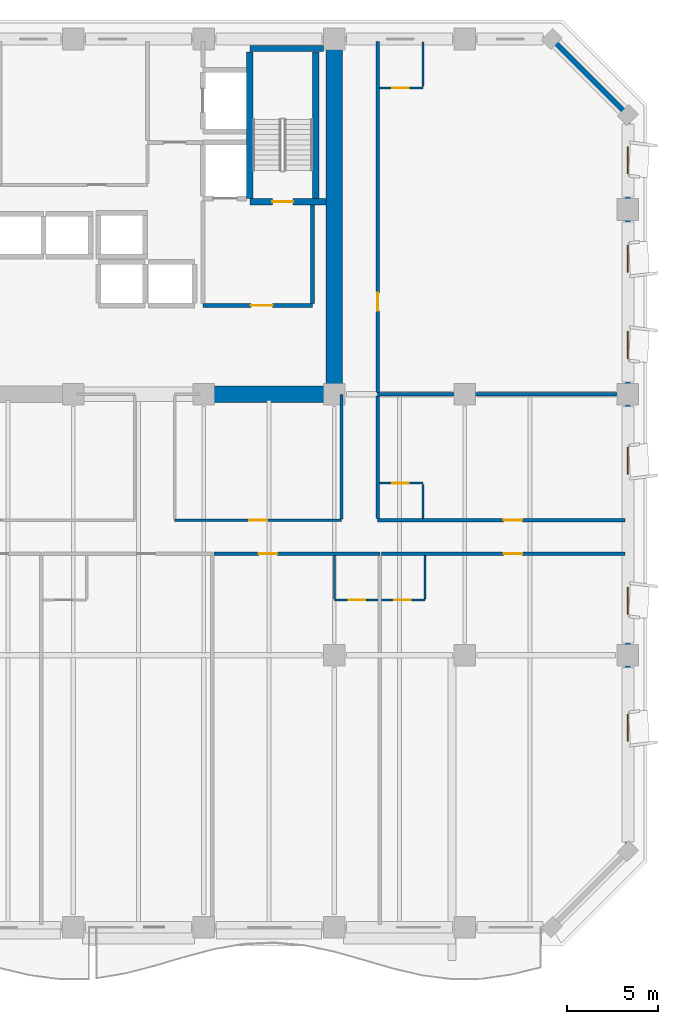
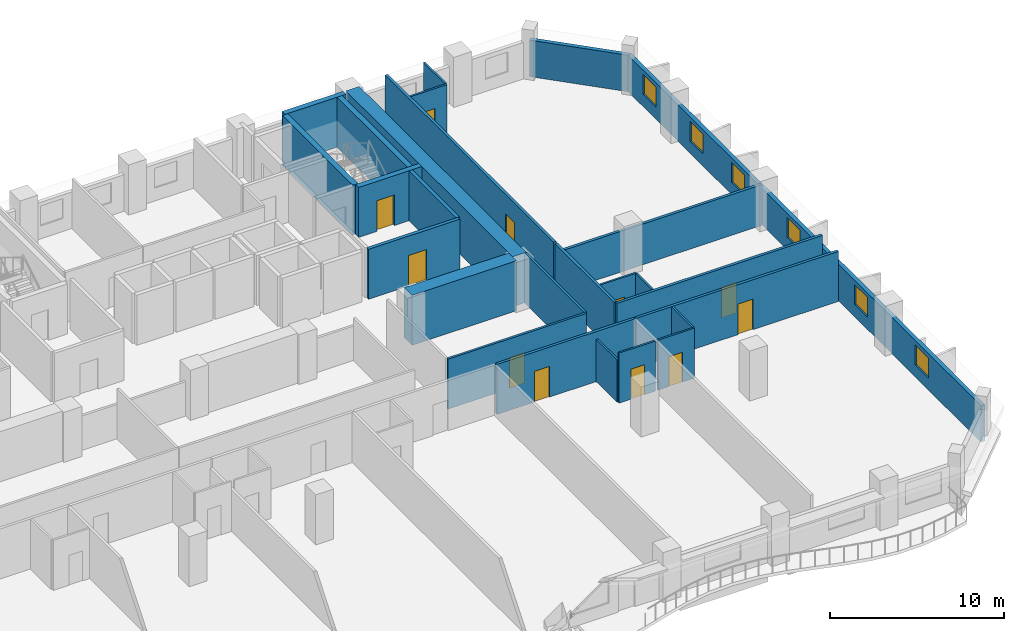
# One storey, part 9 of 14: 26 walls, 11 doors, 6 windows, 17 openings.
"""IFC4 building model written with IfcOpenShell, lengths in metres."""

from ifc_helpers import new_model, si_unit, direction, frame, frame_2d, origin, place, context, subcontext, project, spatial, rectangle, extrude, material, layer, layer_set, type_object, element, fill, save


model = new_model("IFC4")

# Units and contexts
model_context = context("Model", 3, precision=1e-05, world=origin(), true_north=direction((0.0, 1.0)))
body_context = subcontext(model_context, "Body", "Model", "MODEL_VIEW")
ifc_project = project(units=[si_unit("LENGTHUNIT", "METRE"), si_unit("AREAUNIT", "SQUARE_METRE"), si_unit("VOLUMEUNIT", "CUBIC_METRE"), si_unit("PLANEANGLEUNIT", "RADIAN"), si_unit("MASSUNIT", "GRAM", prefix="KILO")], contexts=[model_context])

# Site, building, storey
site_placement = place(None, origin())
site = spatial("IfcSite", under=ifc_project, at=site_placement, CompositionType="ELEMENT")
building_placement = place(site_placement, origin())
building = spatial("IfcBuilding", under=site, at=building_placement, Name="Kaelvorn Grand Hotel", CompositionType="ELEMENT")
storey_placement = place(building_placement, frame((0.0, 0.0, 85.550048828125)))
storey = spatial("IfcBuildingStorey", under=building, at=storey_placement, Name="L19", CompositionType="ELEMENT", Elevation=85.550048828125)

# Walls
ifc_material_1 = material(Name="Concrete C60/75", Category="concrete")
ifc_layer_1 = layer(ifc_material_1, 0.89990234375)
ifc_layer_set_1 = layer_set([ifc_layer_1], Name="Concrete C60/75")
wall_type_1 = type_object("IfcWallType", Name="WL-CORE-900-C60", PredefinedType="SHEAR", material=ifc_layer_set_1)
wall_1_placement = place(storey_placement, frame((67.800048828125, 29.39990234375, 0.0), z_axis=(0.0, 0.0, 1.0), x_axis=(0.0, 1.0, 0.0)))
element("IfcWall", 1, at=wall_1_placement, inside=storey, type_object=wall_type_1, Name="L19 Rear-Core East Shear Wall", PredefinedType="SHEAR", context=body_context, shape_type="SweptSolid", body=[
    extrude(rectangle(XDim=19.2001953125, YDim=0.89990234375, at=frame_2d((9.60009765625, 0.0))), origin(), (0.0, 0.0, 1.0), 3.510009765625),
])
wall_2_placement = place(storey_placement, frame((60.39990234375, 29.39990234375, 0.0), z_axis=(0.0, 0.0, 1.0), x_axis=(1.0, 0.0, 0.0)))
element("IfcWall", 2, at=wall_2_placement, inside=storey, type_object=wall_type_1, Name="L19 Rear-Core Coupled Shear Pier S4", PredefinedType="SHEAR", context=body_context, shape_type="SweptSolid", body=[
    extrude(rectangle(XDim=6.945068359375, YDim=0.89990234375, at=frame_2d((3.47265625, 0.0))), origin(), (0.0, 0.0, 1.0), 3.510009765625),
])

# Wall, openings, windows
ifc_material_2 = material(Name="Concrete C40/50", Category="concrete")
ifc_layer_2 = layer(ifc_material_2, 0.260009765625)
ifc_layer_set_2 = layer_set([ifc_layer_2], Name="Concrete C40/50")
wall_type_2 = type_object("IfcWallType", Name="WL-EXT-260-C40", PredefinedType="SOLIDWALL", material=ifc_layer_set_2)
wall_3_placement = place(storey_placement, frame((84.0, 4.199951171875, 0.0), z_axis=(0.0, 0.0, 1.0), x_axis=(0.0, 1.0, 0.0)))
wall_3 = element("IfcWall", 3, at=wall_3_placement, inside=storey, type_object=wall_type_2, Name="L19 Exterior Architectural Concrete Wall 03", PredefinedType="SOLIDWALL", context=body_context, shape_type="SweptSolid", body=[
    extrude(rectangle(XDim=40.60009765625, YDim=0.260009765625, at=frame_2d((20.300048828125, 0.0))), origin(), (0.0, 0.0, 1.0), 2.56005859375),
])
opening_1_placement = place(wall_3_placement, frame((6.050048828125, 0.0, 0.85009765625)))
opening_1 = element("IfcOpeningElement", 4, at=opening_1_placement, cuts=wall_3, Name="Opening W10", PredefinedType="OPENING", context=body_context, shape_type="SweptSolid", body=[
    extrude(rectangle(XDim=1.5, YDim=1.39990234375, at=frame_2d((0.75, 0.699951171875))), frame((0.0, 0.14013671875, 0.0), z_axis=(0.0, -1.0, 0.0), x_axis=(1.0, 0.0, 0.0)), (0.0, 0.0, 1.0), 0.280029296875),
])
opening_2_placement = place(wall_3_placement, frame((13.050048828125, 0.0, 0.85009765625)))
opening_2 = element("IfcOpeningElement", 5, at=opening_2_placement, cuts=wall_3, Name="Opening W10", PredefinedType="OPENING", context=body_context, shape_type="SweptSolid", body=[
    extrude(rectangle(XDim=1.5, YDim=1.39990234375, at=frame_2d((0.75, 0.699951171875))), frame((0.0, 0.14013671875, 0.0), z_axis=(0.0, -1.0, 0.0), x_axis=(1.0, 0.0, 0.0)), (0.0, 0.0, 1.0), 0.280029296875),
])
opening_3_placement = place(wall_3_placement, frame((20.77490234375, 0.0, 0.85009765625)))
opening_3 = element("IfcOpeningElement", 6, at=opening_3_placement, cuts=wall_3, Name="Opening W10", PredefinedType="OPENING", context=body_context, shape_type="SweptSolid", body=[
    extrude(rectangle(XDim=1.5, YDim=1.39990234375, at=frame_2d((0.75, 0.699951171875))), frame((0.0, 0.14013671875, 0.0), z_axis=(0.0, -1.0, 0.0), x_axis=(1.0, 0.0, 0.0)), (0.0, 0.0, 1.0), 0.280029296875),
])
opening_4_placement = place(wall_3_placement, frame((27.1650390625, 0.0, 0.85009765625)))
opening_4 = element("IfcOpeningElement", 7, at=opening_4_placement, cuts=wall_3, Name="Opening W10", PredefinedType="OPENING", context=body_context, shape_type="SweptSolid", body=[
    extrude(rectangle(XDim=1.5, YDim=1.39990234375, at=frame_2d((0.75, 0.699951171875))), frame((0.0, 0.14013671875, 0.0), z_axis=(0.0, -1.0, 0.0), x_axis=(1.0, 0.0, 0.0)), (0.0, 0.0, 1.0), 0.280029296875),
])
opening_5_placement = place(wall_3_placement, frame((31.93505859375, 0.0, 0.85009765625)))
opening_5 = element("IfcOpeningElement", 8, at=opening_5_placement, cuts=wall_3, Name="Opening W10", PredefinedType="OPENING", context=body_context, shape_type="SweptSolid", body=[
    extrude(rectangle(XDim=1.5, YDim=1.39990234375, at=frame_2d((0.75, 0.699951171875))), frame((0.0, 0.14013671875, 0.0), z_axis=(0.0, -1.0, 0.0), x_axis=(1.0, 0.0, 0.0)), (0.0, 0.0, 1.0), 0.280029296875),
])
opening_6_placement = place(wall_3_placement, frame((37.364990234375, 0.0, 0.85009765625)))
opening_6 = element("IfcOpeningElement", 9, at=opening_6_placement, cuts=wall_3, Name="Opening W10", PredefinedType="OPENING", context=body_context, shape_type="SweptSolid", body=[
    extrude(rectangle(XDim=1.5, YDim=1.39990234375, at=frame_2d((0.75, 0.699951171875))), frame((0.0, 0.14013671875, 0.0), z_axis=(0.0, -1.0, 0.0), x_axis=(1.0, 0.0, 0.0)), (0.0, 0.0, 1.0), 0.280029296875),
])
ifc_material_3 = material(Name="Laminated Low-E Glass", Category="glass")
window_type = type_object("IfcWindowType", Name="WIN-COR-1500x1400", PartitioningType="SINGLE_PANEL", PredefinedType="WINDOW", material=ifc_material_3)
window_1_placement = place(opening_1_placement, origin())
window_1 = element("IfcWindow", 10, at=window_1_placement, inside=storey, type_object=window_type, Name="L19 E Wing Tilted-Frame Ribbon Window E01", OverallHeight=1.39990234375, OverallWidth=1.5, PartitioningType="SINGLE_PANEL", PredefinedType="WINDOW", context=body_context, shape_type="SweptSolid", body=[
    extrude(rectangle(XDim=1.5, YDim=1.39990234375, at=frame_2d((0.75, 0.699951171875))), frame((0.0, 0.030029296875, 0.0), z_axis=(0.0, -1.0, 0.0), x_axis=(1.0, 0.0, 0.0)), (0.0, 0.0, 1.0), 0.06005859375),
])
fill(opening_1, window_1)
window_2_placement = place(opening_2_placement, origin())
window_2 = element("IfcWindow", 11, at=window_2_placement, inside=storey, type_object=window_type, Name="L19 E Wing Tilted-Frame Ribbon Window E02", OverallHeight=1.39990234375, OverallWidth=1.5, PartitioningType="SINGLE_PANEL", PredefinedType="WINDOW", context=body_context, shape_type="SweptSolid", body=[
    extrude(rectangle(XDim=1.5, YDim=1.39990234375, at=frame_2d((0.75, 0.699951171875))), frame((0.0, 0.030029296875, 0.0), z_axis=(0.0, -1.0, 0.0), x_axis=(1.0, 0.0, 0.0)), (0.0, 0.0, 1.0), 0.06005859375),
])
fill(opening_2, window_2)
window_3_placement = place(opening_3_placement, origin())
window_3 = element("IfcWindow", 12, at=window_3_placement, inside=storey, type_object=window_type, Name="L19 E Wing Tilted-Frame Ribbon Window E03", OverallHeight=1.39990234375, OverallWidth=1.5, PartitioningType="SINGLE_PANEL", PredefinedType="WINDOW", context=body_context, shape_type="SweptSolid", body=[
    extrude(rectangle(XDim=1.5, YDim=1.39990234375, at=frame_2d((0.75, 0.699951171875))), frame((0.0, 0.030029296875, 0.0), z_axis=(0.0, -1.0, 0.0), x_axis=(1.0, 0.0, 0.0)), (0.0, 0.0, 1.0), 0.06005859375),
])
fill(opening_3, window_3)
window_4_placement = place(opening_4_placement, origin())
window_4 = element("IfcWindow", 13, at=window_4_placement, inside=storey, type_object=window_type, Name="L19 E Wing Tilted-Frame Ribbon Window E04", OverallHeight=1.39990234375, OverallWidth=1.5, PartitioningType="SINGLE_PANEL", PredefinedType="WINDOW", context=body_context, shape_type="SweptSolid", body=[
    extrude(rectangle(XDim=1.5, YDim=1.39990234375, at=frame_2d((0.75, 0.699951171875))), frame((0.0, 0.030029296875, 0.0), z_axis=(0.0, -1.0, 0.0), x_axis=(1.0, 0.0, 0.0)), (0.0, 0.0, 1.0), 0.06005859375),
])
fill(opening_4, window_4)
window_5_placement = place(opening_5_placement, origin())
window_5 = element("IfcWindow", 14, at=window_5_placement, inside=storey, type_object=window_type, Name="L19 E Wing Tilted-Frame Ribbon Window E05", OverallHeight=1.39990234375, OverallWidth=1.5, PartitioningType="SINGLE_PANEL", PredefinedType="WINDOW", context=body_context, shape_type="SweptSolid", body=[
    extrude(rectangle(XDim=1.5, YDim=1.39990234375, at=frame_2d((0.75, 0.699951171875))), frame((0.0, 0.030029296875, 0.0), z_axis=(0.0, -1.0, 0.0), x_axis=(1.0, 0.0, 0.0)), (0.0, 0.0, 1.0), 0.06005859375),
])
fill(opening_5, window_5)
window_6_placement = place(opening_6_placement, origin())
window_6 = element("IfcWindow", 15, at=window_6_placement, inside=storey, type_object=window_type, Name="L19 E Wing Tilted-Frame Ribbon Window E06", OverallHeight=1.39990234375, OverallWidth=1.5, PartitioningType="SINGLE_PANEL", PredefinedType="WINDOW", context=body_context, shape_type="SweptSolid", body=[
    extrude(rectangle(XDim=1.5, YDim=1.39990234375, at=frame_2d((0.75, 0.699951171875))), frame((0.0, 0.030029296875, 0.0), z_axis=(0.0, -1.0, 0.0), x_axis=(1.0, 0.0, 0.0)), (0.0, 0.0, 1.0), 0.06005859375),
])
fill(opening_6, window_6)

# Wall
wall_4_placement = place(storey_placement, frame((84.0, 44.800048828125, 0.0), z_axis=(0.0, 0.0, 1.0), x_axis=(-0.707106781187, 0.707106781187, 0.0)))
element("IfcWall", 16, at=wall_4_placement, inside=storey, type_object=wall_type_2, Name="L19 Exterior Architectural Concrete Wall 04", PredefinedType="SOLIDWALL", context=body_context, shape_type="SweptSolid", body=[
    extrude(rectangle(XDim=5.939697265625, YDim=0.260009765625, at=frame_2d((2.9697265625, 0.0))), origin(), (0.0, 0.0, 1.0), 2.56005859375),
])

# Wall, opening, door
ifc_material_4 = material(Name="Moisture-Resistant Tile & Stud Board")
ifc_layer_3 = layer(ifc_material_4, 0.125)
ifc_layer_set_3 = layer_set([ifc_layer_3], Name="Moisture-Resistant Tile & Stud Board")
wall_type_3 = type_object("IfcWallType", Name="WL-PART-125-WET", PredefinedType="PARTITIONING", material=ifc_layer_set_3)
wall_5_placement = place(storey_placement, frame((67.81298828125, 18.050048828125, 0.0), z_axis=(0.0, 0.0, 1.0), x_axis=(1.0, 0.0, 0.0)))
wall_5 = element("IfcWall", 17, at=wall_5_placement, inside=storey, type_object=wall_type_3, Name="L19 En-suite Bathroom L19-07 S Partition", PredefinedType="PARTITIONING", context=body_context, shape_type="SweptSolid", body=[
    extrude(rectangle(XDim=2.405029296875, YDim=0.125, at=frame_2d((1.20263671875, 0.0))), origin(), (0.0, 0.0, 1.0), 3.510009765625),
])
opening_7_placement = place(wall_5_placement, frame((0.800048828125, 0.0, 0.0)))
opening_7 = element("IfcOpeningElement", 18, at=opening_7_placement, cuts=wall_5, Name="Opening DI4", PredefinedType="OPENING", context=body_context, shape_type="SweptSolid", body=[
    extrude(rectangle(XDim=0.89990234375, YDim=2.10009765625, at=frame_2d((0.449951171875, 1.050048828125))), frame((0.0, 0.072509765625, 0.0), z_axis=(0.0, -1.0, 0.0), x_axis=(1.0, 0.0, 0.0)), (0.0, 0.0, 1.0), 0.14501953125),
])
ifc_material_5 = material(Name="Timber Veneer Leaf", Category="wood")
door_type_1 = type_object("IfcDoorType", Name="DR-INT-BATH-900x2100", OperationType="NOTDEFINED", PredefinedType="DOOR", material=ifc_material_5)
door_1_placement = place(opening_7_placement, origin())
door_1 = element("IfcDoor", 19, at=door_1_placement, inside=storey, type_object=door_type_1, Name="L19 En-suite Bathroom L19-07 Door", OperationType="SINGLE_SWING_LEFT", OverallHeight=2.10009765625, OverallWidth=0.89990234375, PredefinedType="DOOR", context=body_context, shape_type="SweptSolid", body=[
    extrude(rectangle(XDim=0.89990234375, YDim=2.10009765625, at=frame_2d((0.449951171875, 1.050048828125))), frame((0.0, 0.02490234375, 0.0), z_axis=(0.0, -1.0, 0.0), x_axis=(1.0, 0.0, 0.0)), (0.0, 0.0, 1.0), 0.050048828125),
])
fill(opening_7, door_1)

# Wall
wall_6_placement = place(storey_placement, frame((67.81298828125, 18.117431640625, 0.0), z_axis=(0.0, 0.0, 1.0), x_axis=(0.0, 1.0, 0.0)))
element("IfcWall", 20, at=wall_6_placement, inside=storey, type_object=wall_type_3, Name="L19 En-suite Bathroom L19-07 W Partition", PredefinedType="PARTITIONING", context=body_context, shape_type="SweptSolid", body=[
    extrude(rectangle(XDim=2.387451171875, YDim=0.125, at=frame_2d((1.19384765625, 0.0))), origin(), (0.0, 0.0, 1.0), 2.976806640625),
])

# Wall, opening, door
wall_7_placement = place(storey_placement, frame((70.408203125, 18.050048828125, 0.0), z_axis=(0.0, 0.0, 1.0), x_axis=(1.0, 0.0, 0.0)))
wall_7 = element("IfcWall", 21, at=wall_7_placement, inside=storey, type_object=wall_type_3, Name="L19 En-suite Bathroom L19-08 S Partition", PredefinedType="PARTITIONING", context=body_context, shape_type="SweptSolid", body=[
    extrude(rectangle(XDim=2.40478515625, YDim=0.125, at=frame_2d((1.202392578125, 0.0))), origin(), (0.0, 0.0, 1.0), 3.510009765625),
])
opening_8_placement = place(wall_7_placement, frame((0.705078125, 0.0, 0.0)))
opening_8 = element("IfcOpeningElement", 22, at=opening_8_placement, cuts=wall_7, Name="Opening DI4", PredefinedType="OPENING", context=body_context, shape_type="SweptSolid", body=[
    extrude(rectangle(XDim=0.89990234375, YDim=2.10009765625, at=frame_2d((0.449951171875, 1.050048828125))), frame((0.0, 0.072509765625, 0.0), z_axis=(0.0, -1.0, 0.0), x_axis=(1.0, 0.0, 0.0)), (0.0, 0.0, 1.0), 0.14501953125),
])
door_2_placement = place(opening_8_placement, origin())
door_2 = element("IfcDoor", 23, at=door_2_placement, inside=storey, type_object=door_type_1, Name="L19 En-suite Bathroom L19-08 Door", OperationType="SINGLE_SWING_LEFT", OverallHeight=2.10009765625, OverallWidth=0.89990234375, PredefinedType="DOOR", context=body_context, shape_type="SweptSolid", body=[
    extrude(rectangle(XDim=0.89990234375, YDim=2.10009765625, at=frame_2d((0.449951171875, 1.050048828125))), frame((0.0, 0.02490234375, 0.0), z_axis=(0.0, -1.0, 0.0), x_axis=(1.0, 0.0, 0.0)), (0.0, 0.0, 1.0), 0.050048828125),
])
fill(opening_8, door_2)

# Wall
wall_8_placement = place(storey_placement, frame((72.81298828125, 18.117431640625, 0.0), z_axis=(0.0, 0.0, 1.0), x_axis=(0.0, 1.0, 0.0)))
element("IfcWall", 24, at=wall_8_placement, inside=storey, type_object=wall_type_3, Name="L19 En-suite Bathroom L19-08 E Partition", PredefinedType="PARTITIONING", context=body_context, shape_type="SweptSolid", body=[
    extrude(rectangle(XDim=2.387451171875, YDim=0.125, at=frame_2d((1.19384765625, 0.0))), origin(), (0.0, 0.0, 1.0), 3.510009765625),
])

# Wall, opening, door
wall_9_placement = place(storey_placement, frame((70.294921875, 24.5, 0.0), z_axis=(0.0, 0.0, 1.0), x_axis=(1.0, 0.0, 0.0)))
wall_9 = element("IfcWall", 25, at=wall_9_placement, inside=storey, type_object=wall_type_3, Name="L19 En-suite Bathroom L19-10 N Partition", PredefinedType="PARTITIONING", context=body_context, shape_type="SweptSolid", body=[
    extrude(rectangle(XDim=2.405029296875, YDim=0.125, at=frame_2d((1.20263671875, 0.0))), origin(), (0.0, 0.0, 1.0), 3.510009765625),
])
opening_9_placement = place(wall_9_placement, frame((0.705078125, 0.0, 0.0)))
opening_9 = element("IfcOpeningElement", 26, at=opening_9_placement, cuts=wall_9, Name="Opening DI4", PredefinedType="OPENING", context=body_context, shape_type="SweptSolid", body=[
    extrude(rectangle(XDim=0.89990234375, YDim=2.10009765625, at=frame_2d((0.449951171875, 1.050048828125))), frame((0.0, 0.072509765625, 0.0), z_axis=(0.0, -1.0, 0.0), x_axis=(1.0, 0.0, 0.0)), (0.0, 0.0, 1.0), 0.14501953125),
])
door_3_placement = place(opening_9_placement, origin())
door_3 = element("IfcDoor", 27, at=door_3_placement, inside=storey, type_object=door_type_1, Name="L19 En-suite Bathroom L19-10 Door", OperationType="SINGLE_SWING_LEFT", OverallHeight=2.10009765625, OverallWidth=0.89990234375, PredefinedType="DOOR", context=body_context, shape_type="SweptSolid", body=[
    extrude(rectangle(XDim=0.89990234375, YDim=2.10009765625, at=frame_2d((0.449951171875, 1.050048828125))), frame((0.0, 0.02490234375, 0.0), z_axis=(0.0, -1.0, 0.0), x_axis=(1.0, 0.0, 0.0)), (0.0, 0.0, 1.0), 0.050048828125),
])
fill(opening_9, door_3)

# Wall
wall_10_placement = place(storey_placement, frame((72.699951171875, 22.544921875, 0.0), z_axis=(0.0, 0.0, 1.0), x_axis=(0.0, 1.0, 0.0)))
element("IfcWall", 28, at=wall_10_placement, inside=storey, type_object=wall_type_3, Name="L19 En-suite Bathroom L19-10 E Partition", PredefinedType="PARTITIONING", context=body_context, shape_type="SweptSolid", body=[
    extrude(rectangle(XDim=1.8876953125, YDim=0.125, at=frame_2d((0.94384765625, 0.0))), origin(), (0.0, 0.0, 1.0), 3.510009765625),
])

# Wall, opening, door
wall_11_placement = place(storey_placement, frame((70.294921875, 46.300048828125, 0.0), z_axis=(0.0, 0.0, 1.0), x_axis=(1.0, 0.0, 0.0)))
wall_11 = element("IfcWall", 29, at=wall_11_placement, inside=storey, type_object=wall_type_3, Name="L19 En-suite Bathroom L19-11 S Partition", PredefinedType="PARTITIONING", context=body_context, shape_type="SweptSolid", body=[
    extrude(rectangle(XDim=2.405029296875, YDim=0.125, at=frame_2d((1.20263671875, 0.0))), origin(), (0.0, 0.0, 1.0), 3.510009765625),
])
opening_10_placement = place(wall_11_placement, frame((0.705078125, 0.0, 0.0)))
opening_10 = element("IfcOpeningElement", 30, at=opening_10_placement, cuts=wall_11, Name="Opening DI4", PredefinedType="OPENING", context=body_context, shape_type="SweptSolid", body=[
    extrude(rectangle(XDim=0.89990234375, YDim=2.10009765625, at=frame_2d((0.449951171875, 1.050048828125))), frame((0.0, 0.072509765625, 0.0), z_axis=(0.0, -1.0, 0.0), x_axis=(1.0, 0.0, 0.0)), (0.0, 0.0, 1.0), 0.14501953125),
])
door_4_placement = place(opening_10_placement, origin())
door_4 = element("IfcDoor", 31, at=door_4_placement, inside=storey, type_object=door_type_1, Name="L19 En-suite Bathroom L19-11 Door", OperationType="SINGLE_SWING_LEFT", OverallHeight=2.10009765625, OverallWidth=0.89990234375, PredefinedType="DOOR", context=body_context, shape_type="SweptSolid", body=[
    extrude(rectangle(XDim=0.89990234375, YDim=2.10009765625, at=frame_2d((0.449951171875, 1.050048828125))), frame((0.0, 0.02490234375, 0.0), z_axis=(0.0, -1.0, 0.0), x_axis=(1.0, 0.0, 0.0)), (0.0, 0.0, 1.0), 0.050048828125),
])
fill(opening_10, door_4)

# Wall
wall_12_placement = place(storey_placement, frame((72.699951171875, 46.367431640625, 0.0), z_axis=(0.0, 0.0, 1.0), x_axis=(0.0, 1.0, 0.0)))
element("IfcWall", 32, at=wall_12_placement, inside=storey, type_object=wall_type_3, Name="L19 En-suite Bathroom L19-11 E Partition", PredefinedType="PARTITIONING", context=body_context, shape_type="SweptSolid", body=[
    extrude(rectangle(XDim=2.482666015625, YDim=0.125, at=frame_2d((1.2412109375, 0.0))), origin(), (0.0, 0.0, 1.0), 3.510009765625),
])

# Wall, opening, door
ifc_material_6 = material(Name="Acoustic Gypsum & Stud Partition")
ifc_layer_4 = layer(ifc_material_6, 0.14990234375)
ifc_layer_set_4 = layer_set([ifc_layer_4], Name="Acoustic Gypsum & Stud Partition")
wall_type_4 = type_object("IfcWallType", Name="WL-PART-150-EI60", PredefinedType="PARTITIONING", material=ifc_layer_set_4)
wall_13_placement = place(storey_placement, frame((59.0, 22.449951171875, 0.0), z_axis=(0.0, 0.0, 1.0), x_axis=(1.0, 0.0, 0.0)))
wall_13 = element("IfcWall", 33, at=wall_13_placement, inside=storey, type_object=wall_type_4, Name="L19 VIP Dining Restaurant S Partition", PredefinedType="PARTITIONING", context=body_context, shape_type="SweptSolid", body=[
    extrude(rectangle(XDim=9.199951171875, YDim=0.14990234375, at=frame_2d((4.60009765625, 0.0))), origin(), (0.0, 0.0, 1.0), 3.510009765625),
])
opening_11_placement = place(wall_13_placement, frame((4.10009765625, 0.0, 0.0)))
opening_11 = element("IfcOpeningElement", 34, at=opening_11_placement, cuts=wall_13, Name="Opening DI3", PredefinedType="OPENING", context=body_context, shape_type="SweptSolid", body=[
    extrude(rectangle(XDim=1.0, YDim=2.14990234375, at=frame_2d((0.5, 1.074951171875))), frame((0.0, 0.0849609375, 0.0), z_axis=(0.0, -1.0, 0.0), x_axis=(1.0, 0.0, 0.0)), (0.0, 0.0, 1.0), 0.169921875),
])
ifc_material_7 = material(Name="Timber Veneer Fire Leaf", Category="wood")
door_type_2 = type_object("IfcDoorType", Name="DR-INT-GUEST-1000x2150", OperationType="NOTDEFINED", PredefinedType="DOOR", material=ifc_material_7)
door_5_placement = place(opening_11_placement, origin())
door_5 = element("IfcDoor", 35, at=door_5_placement, inside=storey, type_object=door_type_2, Name="L19 VIP Dining Restaurant Door", OperationType="SINGLE_SWING_LEFT", OverallHeight=2.14990234375, OverallWidth=1.0, PredefinedType="DOOR", context=body_context, shape_type="SweptSolid", body=[
    extrude(rectangle(XDim=1.0, YDim=2.14990234375, at=frame_2d((0.5, 1.074951171875))), frame((0.0, 0.02490234375, 0.0), z_axis=(0.0, -1.0, 0.0), x_axis=(1.0, 0.0, 0.0)), (0.0, 0.0, 1.0), 0.050048828125),
])
fill(opening_11, door_5)

# Wall
wall_14_placement = place(storey_placement, frame((68.199951171875, 22.530029296875, 0.0), z_axis=(0.0, 0.0, 1.0), x_axis=(0.0, 1.0, 0.0)))
element("IfcWall", 36, at=wall_14_placement, inside=storey, type_object=wall_type_4, Name="L19 VIP Dining Restaurant E Partition", PredefinedType="PARTITIONING", context=body_context, shape_type="SweptSolid", body=[
    extrude(rectangle(XDim=6.85986328125, YDim=0.14990234375, at=frame_2d((3.429931640625, 0.0))), origin(), (0.0, 0.0, 1.0), 3.510009765625),
])

# Wall, opening, door
ifc_layer_5 = layer(ifc_material_6, 0.179931640625)
ifc_layer_set_5 = layer_set([ifc_layer_5], Name="Acoustic Gypsum & Stud Partition")
wall_type_5 = type_object("IfcWallType", Name="WL-PART-180-EI60", PredefinedType="PARTITIONING", material=ifc_layer_set_5)
wall_15_placement = place(storey_placement, frame((61.171142578125, 20.60009765625, 0.0), z_axis=(0.0, 0.0, 1.0), x_axis=(1.0, 0.0, 0.0)))
wall_15 = element("IfcWall", 37, at=wall_15_placement, inside=storey, type_object=wall_type_5, Name="L19 Deluxe Panoramic Suite L19-07 N Partition", PredefinedType="PARTITIONING", context=body_context, shape_type="SweptSolid", body=[
    extrude(rectangle(XDim=9.141845703125, YDim=0.179931640625, at=frame_2d((4.57080078125, 0.0))), origin(), (0.0, 0.0, 1.0), 3.510009765625),
])
opening_12_placement = place(wall_15_placement, frame((2.475341796875, 0.0, 0.0)))
opening_12 = element("IfcOpeningElement", 38, at=opening_12_placement, cuts=wall_15, Name="Opening DI3", PredefinedType="OPENING", context=body_context, shape_type="SweptSolid", body=[
    extrude(rectangle(XDim=1.0, YDim=2.14990234375, at=frame_2d((0.5, 1.074951171875))), frame((0.0, 0.10009765625, 0.0), z_axis=(0.0, -1.0, 0.0), x_axis=(1.0, 0.0, 0.0)), (0.0, 0.0, 1.0), 0.199951171875),
])
door_6_placement = place(opening_12_placement, origin())
door_6 = element("IfcDoor", 39, at=door_6_placement, inside=storey, type_object=door_type_2, Name="L19 Deluxe Panoramic Suite L19-07 Door", OperationType="SINGLE_SWING_RIGHT", OverallHeight=2.14990234375, OverallWidth=1.0, PredefinedType="DOOR", context=body_context, shape_type="SweptSolid", body=[
    extrude(rectangle(XDim=1.0, YDim=2.14990234375, at=frame_2d((0.5, 1.074951171875))), frame((0.0, 0.02490234375, 0.0), z_axis=(0.0, -1.0, 0.0), x_axis=(1.0, 0.0, 0.0)), (0.0, 0.0, 1.0), 0.050048828125),
])
fill(opening_12, door_6)

wall_16_placement = place(storey_placement, frame((70.408203125, 20.60009765625, 0.0), z_axis=(0.0, 0.0, 1.0), x_axis=(1.0, 0.0, 0.0)))
wall_16 = element("IfcWall", 40, at=wall_16_placement, inside=storey, type_object=wall_type_5, Name="L19 Presidential Sky Suite L19-08 N Partition", PredefinedType="PARTITIONING", context=body_context, shape_type="SweptSolid", body=[
    extrude(rectangle(XDim=13.44189453125, YDim=0.179931640625, at=frame_2d((6.720947265625, 0.0))), origin(), (0.0, 0.0, 1.0), 3.510009765625),
])
opening_13_placement = place(wall_16_placement, frame((6.7568359375, 0.0, 0.0)))
opening_13 = element("IfcOpeningElement", 41, at=opening_13_placement, cuts=wall_16, Name="Opening DI3", PredefinedType="OPENING", context=body_context, shape_type="SweptSolid", body=[
    extrude(rectangle(XDim=1.0, YDim=2.14990234375, at=frame_2d((0.5, 1.074951171875))), frame((0.0, 0.10009765625, 0.0), z_axis=(0.0, -1.0, 0.0), x_axis=(1.0, 0.0, 0.0)), (0.0, 0.0, 1.0), 0.199951171875),
])
door_7_placement = place(opening_13_placement, origin())
door_7 = element("IfcDoor", 42, at=door_7_placement, inside=storey, type_object=door_type_2, Name="L19 Presidential Sky Suite L19-08 Door", OperationType="SINGLE_SWING_RIGHT", OverallHeight=2.14990234375, OverallWidth=1.0, PredefinedType="DOOR", context=body_context, shape_type="SweptSolid", body=[
    extrude(rectangle(XDim=1.0, YDim=2.14990234375, at=frame_2d((0.5, 1.074951171875))), frame((0.0, 0.02490234375, 0.0), z_axis=(0.0, -1.0, 0.0), x_axis=(1.0, 0.0, 0.0)), (0.0, 0.0, 1.0), 0.050048828125),
])
fill(opening_13, door_7)

wall_17_placement = place(storey_placement, frame((70.199951171875, 22.449951171875, 0.0), z_axis=(0.0, 0.0, 1.0), x_axis=(1.0, 0.0, 0.0)))
wall_17 = element("IfcWall", 43, at=wall_17_placement, inside=storey, type_object=wall_type_5, Name="L19 East Chamfer Corner Suite L19-10 S Partition", PredefinedType="PARTITIONING", context=body_context, shape_type="SweptSolid", body=[
    extrude(rectangle(XDim=13.650146484375, YDim=0.179931640625, at=frame_2d((6.8251953125, 0.0))), origin(), (0.0, 0.0, 1.0), 3.510009765625),
])
opening_14_placement = place(wall_17_placement, frame((6.965087890625, 0.0, 0.0)))
opening_14 = element("IfcOpeningElement", 44, at=opening_14_placement, cuts=wall_17, Name="Opening DI3", PredefinedType="OPENING", context=body_context, shape_type="SweptSolid", body=[
    extrude(rectangle(XDim=1.0, YDim=2.14990234375, at=frame_2d((0.5, 1.074951171875))), frame((0.0, 0.10009765625, 0.0), z_axis=(0.0, -1.0, 0.0), x_axis=(1.0, 0.0, 0.0)), (0.0, 0.0, 1.0), 0.199951171875),
])
door_8_placement = place(opening_14_placement, origin())
door_8 = element("IfcDoor", 45, at=door_8_placement, inside=storey, type_object=door_type_2, Name="L19 East Chamfer Corner Suite L19-10 Door", OperationType="SINGLE_SWING_RIGHT", OverallHeight=2.14990234375, OverallWidth=1.0, PredefinedType="DOOR", context=body_context, shape_type="SweptSolid", body=[
    extrude(rectangle(XDim=1.0, YDim=2.14990234375, at=frame_2d((0.5, 1.074951171875))), frame((0.0, 0.02490234375, 0.0), z_axis=(0.0, -1.0, 0.0), x_axis=(1.0, 0.0, 0.0)), (0.0, 0.0, 1.0), 0.050048828125),
])
fill(opening_14, door_8)

# Walls
wall_18_placement = place(storey_placement, frame((70.199951171875, 29.39990234375, 0.0), z_axis=(0.0, 0.0, 1.0), x_axis=(1.0, 0.0, 0.0)))
element("IfcWall", 46, at=wall_18_placement, inside=storey, type_object=wall_type_5, Name="L19 East Chamfer Corner Suite L19-10 N Partition", PredefinedType="PARTITIONING", context=body_context, shape_type="SweptSolid", body=[
    extrude(rectangle(XDim=13.650146484375, YDim=0.179931640625, at=frame_2d((6.8251953125, 0.0))), origin(), (0.0, 0.0, 1.0), 2.85986328125),
])
wall_19_placement = place(storey_placement, frame((70.199951171875, 22.544921875, 0.0), z_axis=(0.0, 0.0, 1.0), x_axis=(0.0, 1.0, 0.0)))
element("IfcWall", 47, at=wall_19_placement, inside=storey, type_object=wall_type_5, Name="L19 East Chamfer Corner Suite L19-10 W Partition", PredefinedType="PARTITIONING", context=body_context, shape_type="SweptSolid", body=[
    extrude(rectangle(XDim=6.760009765625, YDim=0.179931640625, at=frame_2d((3.3798828125, 0.0))), origin(), (0.0, 0.0, 1.0), 3.510009765625),
])

# Wall, opening, door
wall_20_placement = place(storey_placement, frame((70.199951171875, 29.4951171875, 0.0), z_axis=(0.0, 0.0, 1.0), x_axis=(0.0, 1.0, 0.0)))
wall_20 = element("IfcWall", 48, at=wall_20_placement, inside=storey, type_object=wall_type_5, Name="L19 Presidential Sky Suite L19-11 W Partition", PredefinedType="PARTITIONING", context=body_context, shape_type="SweptSolid", body=[
    extrude(rectangle(XDim=19.35498046875, YDim=0.179931640625, at=frame_2d((9.677490234375, 0.0))), origin(), (0.0, 0.0, 1.0), 3.510009765625),
])
opening_15_placement = place(wall_20_placement, frame((4.5048828125, 0.0, 0.0)))
opening_15 = element("IfcOpeningElement", 49, at=opening_15_placement, cuts=wall_20, Name="Opening DI3", PredefinedType="OPENING", context=body_context, shape_type="SweptSolid", body=[
    extrude(rectangle(XDim=1.0, YDim=2.14990234375, at=frame_2d((0.5, 1.074951171875))), frame((0.0, 0.10009765625, 0.0), z_axis=(0.0, -1.0, 0.0), x_axis=(1.0, 0.0, 0.0)), (0.0, 0.0, 1.0), 0.199951171875),
])
door_9_placement = place(opening_15_placement, origin())
door_9 = element("IfcDoor", 50, at=door_9_placement, inside=storey, type_object=door_type_2, Name="L19 Presidential Sky Suite L19-11 Door", OperationType="SINGLE_SWING_RIGHT", OverallHeight=2.14990234375, OverallWidth=1.0, PredefinedType="DOOR", context=body_context, shape_type="SweptSolid", body=[
    extrude(rectangle(XDim=1.0, YDim=2.14990234375, at=frame_2d((0.5, 1.074951171875))), frame((0.0, 0.02490234375, 0.0), z_axis=(0.0, -1.0, 0.0), x_axis=(1.0, 0.0, 0.0)), (0.0, 0.0, 1.0), 0.050048828125),
])
fill(opening_15, door_9)

ifc_layer_6 = layer(ifc_material_2, 0.219970703125)
ifc_layer_set_6 = layer_set([ifc_layer_6], Name="Concrete C40/50")
wall_type_6 = type_object("IfcWallType", Name="WL-PART-220-EI120", PredefinedType="PARTITIONING", material=ifc_layer_set_6)
wall_21_placement = place(storey_placement, frame((60.550048828125, 34.300048828125, 0.0), z_axis=(0.0, 0.0, 1.0), x_axis=(1.0, 0.0, 0.0)))
wall_21 = element("IfcWall", 51, at=wall_21_placement, inside=storey, type_object=wall_type_6, Name="L19 Firefighting Lift Lobby 2 S Partition", PredefinedType="PARTITIONING", context=body_context, shape_type="SweptSolid", body=[
    extrude(rectangle(XDim=6.050048828125, YDim=0.219970703125, at=frame_2d((3.02490234375, 0.0))), origin(), (0.0, 0.0, 1.0), 3.510009765625),
])
opening_16_placement = place(wall_21_placement, frame((2.64990234375, 0.0, 0.0)))
opening_16 = element("IfcOpeningElement", 52, at=opening_16_placement, cuts=wall_21, Name="Opening DI2", PredefinedType="OPENING", context=body_context, shape_type="SweptSolid", body=[
    extrude(rectangle(XDim=1.199951171875, YDim=2.14990234375, at=frame_2d((0.60009765625, 1.074951171875))), frame((0.0, 0.1201171875, 0.0), z_axis=(0.0, -1.0, 0.0), x_axis=(1.0, 0.0, 0.0)), (0.0, 0.0, 1.0), 0.239990234375),
])
door_type_3 = type_object("IfcDoorType", Name="DR-INT-FFLOB-1200x2150", OperationType="NOTDEFINED", PredefinedType="DOOR", material=ifc_material_7)
door_10_placement = place(opening_16_placement, origin())
door_10 = element("IfcDoor", 53, at=door_10_placement, inside=storey, type_object=door_type_3, Name="L19 Firefighting Lift Lobby 2 Door", OperationType="SINGLE_SWING_LEFT", OverallHeight=2.14990234375, OverallWidth=1.199951171875, PredefinedType="DOOR", context=body_context, shape_type="SweptSolid", body=[
    extrude(rectangle(XDim=1.199951171875, YDim=2.14990234375, at=frame_2d((0.60009765625, 1.074951171875))), frame((0.0, 0.02490234375, 0.0), z_axis=(0.0, -1.0, 0.0), x_axis=(1.0, 0.0, 0.0)), (0.0, 0.0, 1.0), 0.050048828125),
])
fill(opening_16, door_10)

# Wall
wall_22_placement = place(storey_placement, frame((66.60009765625, 34.4150390625, 0.0), z_axis=(0.0, 0.0, 1.0), x_axis=(0.0, 1.0, 0.0)))
element("IfcWall", 54, at=wall_22_placement, inside=storey, type_object=wall_type_6, Name="L19 Firefighting Lift Lobby 2 E Partition", PredefinedType="PARTITIONING", context=body_context, shape_type="SweptSolid", body=[
    extrude(rectangle(XDim=5.429931640625, YDim=0.219970703125, at=frame_2d((2.71484375, 0.0))), origin(), (0.0, 0.0, 1.0), 3.510009765625),
])

# Wall, opening, door
ifc_layer_7 = layer(ifc_material_1, 0.35009765625)
ifc_layer_set_7 = layer_set([ifc_layer_7], Name="Concrete C60/75")
wall_type_7 = type_object("IfcWallType", Name="WL-SHAFT-350-C60", PredefinedType="SHEAR", material=ifc_layer_set_7)
wall_23_placement = place(storey_placement, frame((63.14501953125, 40.02490234375, 0.0), z_axis=(0.0, 0.0, 1.0), x_axis=(1.0, 0.0, 0.0)))
wall_23 = element("IfcWall", 55, at=wall_23_placement, inside=storey, type_object=wall_type_7, Name="L19 ST3 Stair Shaft South Wall", PredefinedType="SHEAR", context=body_context, shape_type="SweptSolid", body=[
    extrude(rectangle(XDim=4.199951171875, YDim=0.35009765625, at=frame_2d((2.10009765625, 0.0))), origin(), (0.0, 0.0, 1.0), 3.510009765625),
])
opening_17_placement = place(wall_23_placement, frame((1.239990234375, 0.0, 0.0)))
opening_17 = element("IfcOpeningElement", 56, at=opening_17_placement, cuts=wall_23, Name="Opening DI1", PredefinedType="OPENING", context=body_context, shape_type="SweptSolid", body=[
    extrude(rectangle(XDim=1.14990234375, YDim=2.14990234375, at=frame_2d((0.574951171875, 1.074951171875))), frame((0.0, 0.18505859375, 0.0), z_axis=(0.0, -1.0, 0.0), x_axis=(1.0, 0.0, 0.0)), (0.0, 0.0, 1.0), 0.3701171875),
])
door_type_4 = type_object("IfcDoorType", Name="DR-INT-STAIR-1150x2150", OperationType="NOTDEFINED", PredefinedType="DOOR", material=ifc_material_7)
door_11_placement = place(opening_17_placement, origin())
door_11 = element("IfcDoor", 57, at=door_11_placement, inside=storey, type_object=door_type_4, Name="L19 ST3 Exit Stair Fire Door", OperationType="SINGLE_SWING_LEFT", OverallHeight=2.14990234375, OverallWidth=1.14990234375, PredefinedType="DOOR", context=body_context, shape_type="SweptSolid", body=[
    extrude(rectangle(XDim=1.14990234375, YDim=2.14990234375, at=frame_2d((0.574951171875, 1.074951171875))), frame((0.0, 0.02490234375, 0.0), z_axis=(0.0, -1.0, 0.0), x_axis=(1.0, 0.0, 0.0)), (0.0, 0.0, 1.0), 0.050048828125),
])
fill(opening_17, door_11)

# Walls
wall_24_placement = place(storey_placement, frame((63.14501953125, 48.47509765625, 0.0), z_axis=(0.0, 0.0, 1.0), x_axis=(1.0, 0.0, 0.0)))
element("IfcWall", 58, at=wall_24_placement, inside=storey, type_object=wall_type_7, Name="L19 ST3 Stair Shaft North Wall", PredefinedType="SHEAR", context=body_context, shape_type="SweptSolid", body=[
    extrude(rectangle(XDim=4.050048828125, YDim=0.35009765625, at=frame_2d((2.02490234375, 0.0))), origin(), (0.0, 0.0, 1.0), 3.510009765625),
])
for number, where, z_axis, x_axis, name in (
    (59, (63.14501953125, 40.205078125, 0.0), (0.0, 0.0, 1.0), (0.0, 1.0, 0.0), "L19 ST3 Stair Shaft West Wall"),
    (60, (66.77490234375, 40.205078125, 0.0), (0.0, 0.0, 1.0), (0.0, 1.0, 0.0), "L19 ST3 Stair Shaft East Wall"),
):
    element("IfcWall", number, at=place(storey_placement, frame(where, z_axis=z_axis, x_axis=x_axis)), inside=storey, type_object=wall_type_7, Name=name, PredefinedType="SHEAR", context=body_context, shape_type="SweptSolid", body=[
        extrude(rectangle(XDim=8.08984375, YDim=0.35009765625, at=frame_2d((4.044921875, 0.0))), origin(), (0.0, 0.0, 1.0), 3.510009765625),
    ])

save(model, "model.ifc")
